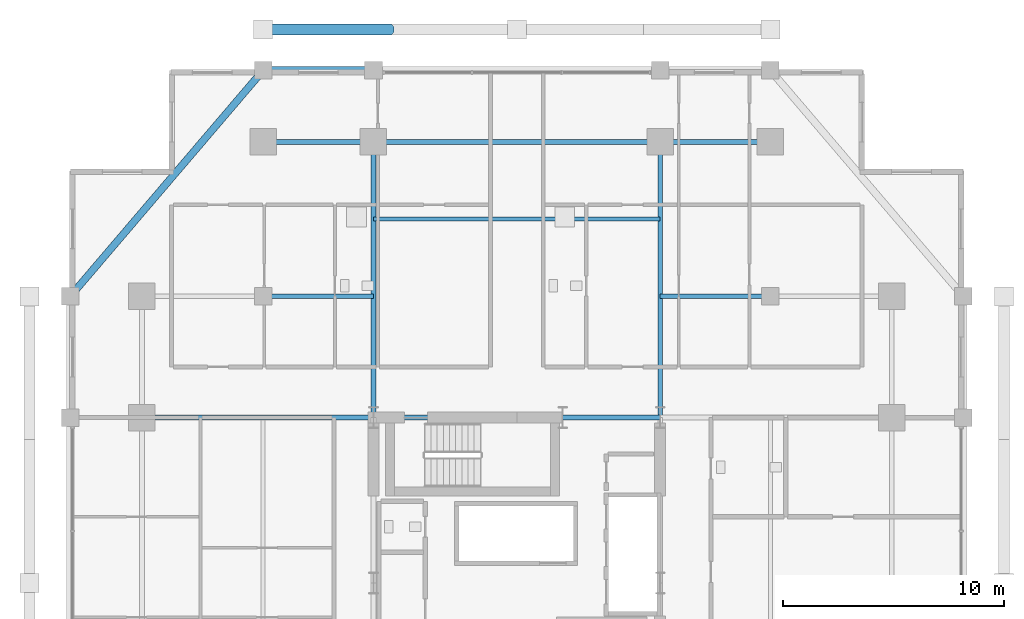
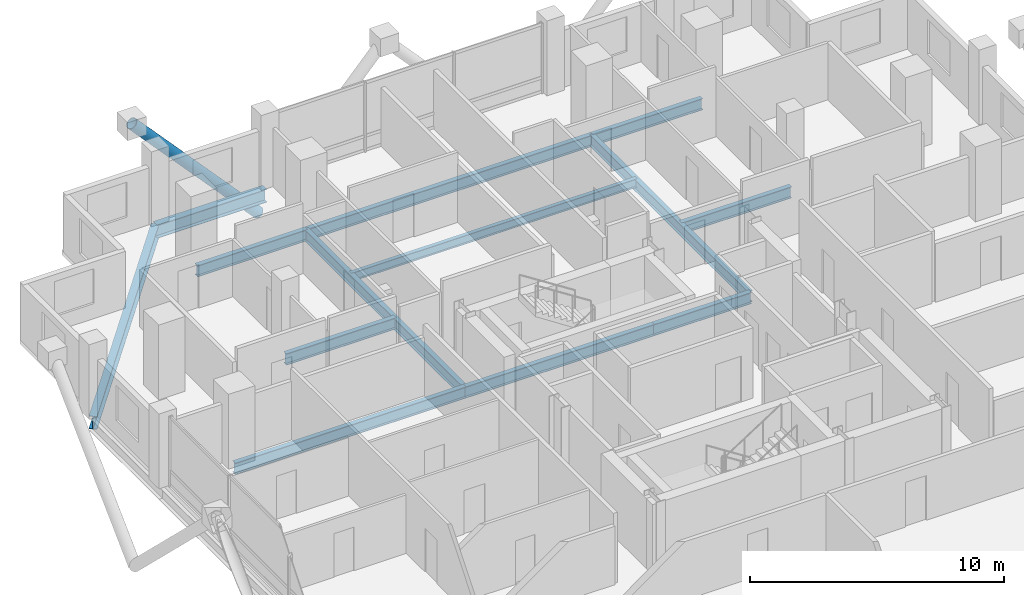
# One storey, part 12 of 22: 13 beams, 1 member.
"""IFC4 building model written with IfcOpenShell, lengths in metres."""

import ifcopenshell
import ifcopenshell.guid

model = None  # the IFC model being written
_history = None  # IfcOwnerHistory: only IFC2X3 demands one
_inside = {}  # id of a spatial element -> (the spatial element, [elements in it])
_under = {}  # id of a project, library or spatial element -> (it, [spatial elements below it])
_declared = {}  # id of a project -> (the project, [libraries it declares])
_typed = {}  # id of a type object -> (the type object, [elements of that type])
_made_of = {}  # id of a material, layer set ... -> (it, [elements and type objects made of it])


def new_model(schema):
    """Start an empty IFC model of exactly this schema.

    Asked for "IFC4X3", IfcOpenShell would pick the latest addendum, in which some entities
    have other attributes; the version numbers below select the first issue.
    IFC2X3 requires an IfcOwnerHistory on every rooted entity: one is made here for all.
    """
    global model, _history
    if schema == "IFC4X3":
        model = ifcopenshell.file(schema_version=(4, 3, 0, 0))
    else:
        model = ifcopenshell.file(schema=schema)
    _inside.clear()
    _under.clear()
    _declared.clear()
    _typed.clear()
    _made_of.clear()
    _history = None
    if model.schema == "IFC2X3":
        org = make("IfcOrganization", Name="unknown")
        user = make(
            "IfcPersonAndOrganization",
            ThePerson=make("IfcPerson", FamilyName="unknown"),
            TheOrganization=org,
        )
        app = make(
            "IfcApplication",
            ApplicationDeveloper=org,
            Version="unknown",
            ApplicationFullName="unknown",
            ApplicationIdentifier="unknown",
        )
        _history = make(
            "IfcOwnerHistory",
            OwningUser=user,
            OwningApplication=app,
            ChangeAction="ADDED",
            CreationDate=0,
        )
    return model


def make(cls, **values):
    """One entity of the class cls with the attributes given. An attribute that is None is left unset."""
    return model.create_entity(
        cls, **{name: value for name, value in values.items() if value is not None}
    )


def rooted(cls, **values):
    """An entity with a GlobalId (a new one), such as an element, a storey or a relation."""
    return make(cls, GlobalId=ifcopenshell.guid.new(), OwnerHistory=_history, **values)


def si_unit(unit_type, name, prefix=None):
    """IfcSIUnit, for example si_unit("LENGTHUNIT", "METRE", prefix="MILLI")."""
    return make("IfcSIUnit", UnitType=unit_type, Prefix=prefix, Name=name)


def assignment(units):
    """IfcUnitAssignment: the units of a project."""
    return None if units is None else make("IfcUnitAssignment", Units=units)


def point(xyz):
    """IfcCartesianPoint."""
    return None if xyz is None else make("IfcCartesianPoint", Coordinates=xyz)


def direction(xyz):
    """IfcDirection."""
    return None if xyz is None else make("IfcDirection", DirectionRatios=xyz)


def frame(location, z_axis=None, x_axis=None):
    """IfcAxis2Placement3D, a coordinate frame: its origin and axes. An axis left out is left unset."""
    return make(
        "IfcAxis2Placement3D",
        Location=point(location),
        Axis=direction(z_axis),
        RefDirection=direction(x_axis),
    )


def frame_2d(location, x_axis=None):
    """IfcAxis2Placement2D, a coordinate frame in the plane: its origin and x axis."""
    return make(
        "IfcAxis2Placement2D", Location=point(location), RefDirection=direction(x_axis)
    )


def origin():
    """The frame at (0, 0, 0) with its axes left unset."""
    return frame((0.0, 0.0, 0.0))


def origin_2d():
    """The frame at (0, 0) in the plane with its x axis left unset."""
    return frame_2d((0.0, 0.0))


def place(relative_to, where):
    """IfcLocalPlacement: puts the frame where relative to a parent placement (None: the world)."""
    return make(
        "IfcLocalPlacement", PlacementRelTo=relative_to, RelativePlacement=where
    )


def context(
    kind, dimensions, precision=None, world=None, true_north=None, identifier=None
):
    """IfcGeometricRepresentationContext, for example the 3D "Model" context."""
    return make(
        "IfcGeometricRepresentationContext",
        ContextIdentifier=identifier,
        ContextType=kind,
        CoordinateSpaceDimension=dimensions,
        Precision=precision,
        WorldCoordinateSystem=world,
        TrueNorth=true_north,
    )


def subcontext(parent, identifier, kind, view, scale=None):
    """IfcGeometricRepresentationSubContext, for example "Body" below "Model"."""
    return make(
        "IfcGeometricRepresentationSubContext",
        ContextIdentifier=identifier,
        ContextType=kind,
        ParentContext=parent,
        TargetScale=scale,
        TargetView=view,
    )


def project(units=None, contexts=None):
    """IfcProject with its units and contexts."""
    return rooted(
        "IfcProject",
        Name="project",
        RepresentationContexts=contexts,
        UnitsInContext=assignment(units),
    )


def spatial(cls, under=None, at=None, **own):
    """A site, building, storey or space (cls), placed at a placement, below another one or the project."""
    s = rooted(cls, ObjectPlacement=at, **own)
    if under is not None:
        _under.setdefault(under.id(), (under, []))[1].append(s)
    return s


def profile(cls, at=None, kind="AREA", **sizes):
    """A parametric profile (cls). Its sizes go by their IFC names, for example OverallWidth=200.0."""
    return make(cls, ProfileType=kind, Position=at, **sizes)


def hollow_circle(**sizes):
    """IfcCircleHollowProfileDef."""
    return profile("IfcCircleHollowProfileDef", **sizes)


def i_section(**sizes):
    """IfcIShapeProfileDef."""
    return profile("IfcIShapeProfileDef", **sizes)


def extrude(swept, where, along, depth):
    """IfcExtrudedAreaSolid: the profile swept, set in the frame where, extruded along a direction by depth."""
    return make(
        "IfcExtrudedAreaSolid",
        SweptArea=swept,
        Position=where,
        ExtrudedDirection=direction(along),
        Depth=depth,
    )


def shape(context_of_items, identifier, shape_type, items):
    """IfcShapeRepresentation: the items that make up one representation, for example the "Body"."""
    return make(
        "IfcShapeRepresentation",
        ContextOfItems=context_of_items,
        RepresentationIdentifier=identifier,
        RepresentationType=shape_type,
        Items=items,
    )


def material(Name=None, Category=None):
    """IfcMaterial."""
    return make("IfcMaterial", Name=Name, Category=Category)


def material_profile(
    of_material, cross_section, Name=None, Category=None, Priority=None
):
    """IfcMaterialProfile: a cross section and its material."""
    return make(
        "IfcMaterialProfile",
        Name=Name,
        Material=of_material,
        Profile=cross_section,
        Priority=Priority,
        Category=Category,
    )


def profile_set(profiles, Name=None, composite=None):
    """IfcMaterialProfileSet."""
    return make(
        "IfcMaterialProfileSet",
        Name=Name,
        MaterialProfiles=profiles,
        CompositeProfile=composite,
    )


def made_of(thing, what):
    """Note that an element or type object is made of a material, layer set ...; save() writes the relation."""
    if what is not None:
        _made_of.setdefault(what.id(), (what, []))[1].append(thing)
    return thing


def type_object(cls, material=None, **own):
    """A type object (cls), such as IfcWallType, which elements share."""
    return made_of(rooted(cls, **own), material)


def element(
    cls,
    number,
    at=None,
    inside=None,
    cuts=None,
    type_object=None,
    material=None,
    context=None,
    identifier="Body",
    shape_type=None,
    held_by="IfcProductDefinitionShape",
    body=None,
    shapes=None,
    **own,
):
    """One element of the class cls, such as IfcWall. Its Tag is "e" and its number.

    at: its placement. inside: the storey or other place that contains it. cuts: it is an
    opening in that element (IfcRelVoidsElement). A single representation is given by context,
    identifier, shape_type and body (its items); several are given by shapes. held_by: the class
    of the entity that holds the representations. save() writes the other relations.
    """
    e = rooted(cls, Tag="e%d" % number, ObjectPlacement=at, **own)
    if body is not None:
        shapes = [shape(context, identifier, shape_type, body)]
    if shapes is not None:
        e.Representation = make(held_by, Representations=shapes)
    if inside is not None:
        _inside.setdefault(inside.id(), (inside, []))[1].append(e)
    if cuts is not None:
        rooted(
            "IfcRelVoidsElement", RelatingBuildingElement=cuts, RelatedOpeningElement=e
        )
    if type_object is not None:
        _typed.setdefault(type_object.id(), (type_object, []))[1].append(e)
    return made_of(e, material)


def aggregate(whole, parts):
    """IfcRelAggregates: a whole, such as a stair, and the parts it consists of."""
    return rooted("IfcRelAggregates", RelatingObject=whole, RelatedObjects=parts)


def save(model, path):
    """Write the relations noted so far, then the file.

    IfcRelAggregates (storeys below a building ...), IfcRelContainedInSpatialStructure (elements
    in a storey), IfcRelDefinesByType, IfcRelAssociatesMaterial and IfcRelDeclares: one each for
    every whole, place, type object, material and project.
    """
    for whole, parts in _under.values():
        aggregate(whole, parts)
    for where, things in _inside.values():
        rooted(
            "IfcRelContainedInSpatialStructure",
            RelatedElements=things,
            RelatingStructure=where,
        )
    for kind, things in _typed.values():
        rooted("IfcRelDefinesByType", RelatedObjects=things, RelatingType=kind)
    for what, things in _made_of.values():
        rooted("IfcRelAssociatesMaterial", RelatedObjects=things, RelatingMaterial=what)
    for by, libraries in _declared.values():
        rooted("IfcRelDeclares", RelatingContext=by, RelatedDefinitions=libraries)
    model.write(path)


model = new_model("IFC4")

# Units and contexts
model_context = context("Model", 3, precision=1e-05, world=origin(), true_north=direction((0.0, 1.0)))
body_context = subcontext(model_context, "Body", "Model", "MODEL_VIEW")
ifc_project = project(units=[si_unit("LENGTHUNIT", "METRE"), si_unit("AREAUNIT", "SQUARE_METRE"), si_unit("VOLUMEUNIT", "CUBIC_METRE"), si_unit("PLANEANGLEUNIT", "RADIAN"), si_unit("MASSUNIT", "GRAM", prefix="KILO")], contexts=[model_context])

# Site, building, storey
site_placement = place(None, origin())
site = spatial("IfcSite", under=ifc_project, at=site_placement, CompositionType="ELEMENT")
building_placement = place(site_placement, origin())
building = spatial("IfcBuilding", under=site, at=building_placement, Name="Barlavira Tower and Art Museum", CompositionType="ELEMENT")
storey_placement = place(building_placement, frame((0.0, 0.0, 129.60009765625)))
storey = spatial("IfcBuildingStorey", under=building, at=storey_placement, Name="L32", CompositionType="ELEMENT", Elevation=129.60009765625)

# Member
ifc_material = material(Name="Steel S355", Category="steel")
ifc_material_profile_1 = material_profile(ifc_material, hollow_circle(Radius=0.25390625, WallThickness=0.022216796875, at=origin_2d()), Name="CHS 508.0x22.2")
ifc_profile_set_1 = profile_set([ifc_material_profile_1], Name="Steel S355")
member_type = type_object("IfcMemberType", Name="Pale-Metal Exoskeleton Diagrid Tube CHS 508x22 Steel S355", PredefinedType="BRACE", material=ifc_profile_set_1)
member_placement = place(storey_placement, frame((-5.75, 25.10009765625, -2.820068359375), z_axis=(-0.67412750573, 0.0, 0.738614991736), x_axis=(0.0, -1.0, 0.0)))
element("IfcMember", 1, at=member_placement, inside=storey, type_object=member_type, Name="L32 Exoskeleton Diagrid Tube N", PredefinedType="BRACE", context=body_context, shape_type="SweptSolid", body=[
    extrude(hollow_circle(Radius=0.25390625, WallThickness=0.022216796875, at=origin_2d()), origin(), (0.0, 0.0, 1.0), 8.529541015625),
])

# Beams
ifc_material_profile_2 = material_profile(ifc_material, i_section(OverallWidth=0.327880859375, OverallDepth=0.62890625, WebThickness=0.013916015625, FlangeThickness=0.021484375, at=origin_2d()), Name="W610x174.0")
ifc_profile_set_2 = profile_set([ifc_material_profile_2], Name="Steel S355")
beam_type_1 = type_object("IfcBeamType", Name="Perimeter Spandrel Edge Beam W610x174 Steel S355", PredefinedType="SPANDREL", material=ifc_profile_set_2)
beam_1_placement = place(storey_placement, frame((-11.5, 23.25, -0.53466796875), z_axis=(1.0, 0.0, 0.0), x_axis=(0.0, 1.0, 0.0)))
element("IfcBeam", 2, at=beam_1_placement, inside=storey, type_object=beam_type_1, Name="L32 Spandrel 11", PredefinedType="SPANDREL", context=body_context, shape_type="SweptSolid", body=[
    extrude(i_section(OverallWidth=0.327880859375, OverallDepth=0.62890625, WebThickness=0.013916015625, FlangeThickness=0.021484375, at=origin_2d()), origin(), (0.0, 0.0, 1.0), 5.0),
])
beam_2_placement = place(storey_placement, frame((-11.5, 23.25, -0.53466796875), z_axis=(-0.649262379928, -0.760564502202, 0.0), x_axis=(0.760564502202, -0.649262379928, 0.0)))
element("IfcBeam", 3, at=beam_2_placement, inside=storey, type_object=beam_type_1, Name="L32 Spandrel 12", PredefinedType="SPANDREL", context=body_context, shape_type="SweptSolid", body=[
    extrude(i_section(OverallWidth=0.327880859375, OverallDepth=0.62890625, WebThickness=0.013916015625, FlangeThickness=0.021484375, at=origin_2d()), origin(), (0.0, 0.0, 1.0), 13.476806640625),
])
ifc_material_profile_3 = material_profile(ifc_material, i_section(OverallWidth=0.214111328125, OverallDepth=0.549072265625, WebThickness=0.0146484375, FlangeThickness=0.023681640625, at=origin_2d()), Name="W530x138.0")
ifc_profile_set_3 = profile_set([ifc_material_profile_3], Name="Steel S355")
beam_type_2 = type_object("IfcBeamType", Name="Zone 1 Primary Floor Girder W530x138 Steel S355", PredefinedType="BEAM", material=ifc_profile_set_3)
beam_3_placement = place(storey_placement, frame((-6.5, 7.5, -0.49462890625), z_axis=(1.0, 0.0, 0.0), x_axis=(0.0, 1.0, 0.0)))
element("IfcBeam", 4, at=beam_3_placement, inside=storey, type_object=beam_type_2, Name="L32 Girder C-N1", PredefinedType="BEAM", context=body_context, shape_type="SweptSolid", body=[
    extrude(i_section(OverallWidth=0.214111328125, OverallDepth=0.549072265625, WebThickness=0.0146484375, FlangeThickness=0.023681640625, at=origin_2d()), origin(), (0.0, 0.0, 1.0), 8.580078125),
])
beam_4_placement = place(storey_placement, frame((2.080078125, 7.5, -0.49462890625), z_axis=(1.0, 0.0, 0.0), x_axis=(0.0, 1.0, 0.0)))
element("IfcBeam", 5, at=beam_4_placement, inside=storey, type_object=beam_type_2, Name="L32 Girder C-N2", PredefinedType="BEAM", context=body_context, shape_type="SweptSolid", body=[
    extrude(i_section(OverallWidth=0.214111328125, OverallDepth=0.549072265625, WebThickness=0.0146484375, FlangeThickness=0.023681640625, at=origin_2d()), origin(), (0.0, 0.0, 1.0), 4.419921875),
])
beam_5_placement = place(storey_placement, frame((-11.5, 20.0, -0.49462890625), z_axis=(1.0, 0.0, 0.0), x_axis=(0.0, 1.0, 0.0)))
element("IfcBeam", 6, at=beam_5_placement, inside=storey, type_object=beam_type_2, Name="L32 Girder M-N1", PredefinedType="BEAM", context=body_context, shape_type="SweptSolid", body=[
    extrude(i_section(OverallWidth=0.214111328125, OverallDepth=0.549072265625, WebThickness=0.0146484375, FlangeThickness=0.023681640625, at=origin_2d()), origin(), (0.0, 0.0, 1.0), 5.0),
])
beam_6_placement = place(storey_placement, frame((-6.5, 20.0, -0.49462890625), z_axis=(1.0, 0.0, 0.0), x_axis=(0.0, 1.0, 0.0)))
element("IfcBeam", 7, at=beam_6_placement, inside=storey, type_object=beam_type_2, Name="L32 Girder M-N2", PredefinedType="BEAM", context=body_context, shape_type="SweptSolid", body=[
    extrude(i_section(OverallWidth=0.214111328125, OverallDepth=0.549072265625, WebThickness=0.0146484375, FlangeThickness=0.023681640625, at=origin_2d()), origin(), (0.0, 0.0, 1.0), 13.0),
])
beam_7_placement = place(storey_placement, frame((6.5, 20.0, -0.49462890625), z_axis=(1.0, 0.0, 0.0), x_axis=(0.0, 1.0, 0.0)))
element("IfcBeam", 8, at=beam_7_placement, inside=storey, type_object=beam_type_2, Name="L32 Girder M-N3", PredefinedType="BEAM", context=body_context, shape_type="SweptSolid", body=[
    extrude(i_section(OverallWidth=0.214111328125, OverallDepth=0.549072265625, WebThickness=0.0146484375, FlangeThickness=0.023681640625, at=origin_2d()), origin(), (0.0, 0.0, 1.0), 5.0),
])
for number, where, z_axis, x_axis, name in (
    (9, (-6.5, 7.5, -0.49462890625), (0.0, 1.0, 0.0), (-1.0, 0.0, 0.0), "L32 Girder R-N1"),
    (10, (6.5, 7.5, -0.49462890625), (0.0, 1.0, 0.0), (-1.0, 0.0, 0.0), "L32 Girder R-N2"),
):
    element("IfcBeam", number, at=place(storey_placement, frame(where, z_axis=z_axis, x_axis=x_axis)), inside=storey, type_object=beam_type_2, Name=name, PredefinedType="BEAM", context=body_context, shape_type="SweptSolid", body=[
        extrude(i_section(OverallWidth=0.214111328125, OverallDepth=0.549072265625, WebThickness=0.0146484375, FlangeThickness=0.023681640625, at=origin_2d()), origin(), (0.0, 0.0, 1.0), 12.5),
    ])
beam_8_placement = place(storey_placement, frame((-17.0, 7.5, -0.49462890625), z_axis=(1.0, 0.0, 0.0), x_axis=(0.0, 1.0, 0.0)))
element("IfcBeam", 11, at=beam_8_placement, inside=storey, type_object=beam_type_2, Name="L32 Girder R-W2", PredefinedType="BEAM", context=body_context, shape_type="SweptSolid", body=[
    extrude(i_section(OverallWidth=0.214111328125, OverallDepth=0.549072265625, WebThickness=0.0146484375, FlangeThickness=0.023681640625, at=origin_2d()), origin(), (0.0, 0.0, 1.0), 10.5),
])
for number, where, z_axis, x_axis, name in (
    (12, (-11.5, 13.0, -0.49462890625), (1.0, 0.0, 0.0), (0.0, 1.0, 0.0), "L32 Girder I-N2"),
    (13, (6.5, 13.0, -0.49462890625), (1.0, 0.0, 0.0), (0.0, 1.0, 0.0), "L32 Girder I-N3"),
):
    element("IfcBeam", number, at=place(storey_placement, frame(where, z_axis=z_axis, x_axis=x_axis)), inside=storey, type_object=beam_type_2, Name=name, PredefinedType="BEAM", context=body_context, shape_type="SweptSolid", body=[
        extrude(i_section(OverallWidth=0.214111328125, OverallDepth=0.549072265625, WebThickness=0.0146484375, FlangeThickness=0.023681640625, at=origin_2d()), origin(), (0.0, 0.0, 1.0), 5.0),
    ])
ifc_material_profile_4 = material_profile(ifc_material, i_section(OverallWidth=0.179931640625, OverallDepth=0.4130859375, WebThickness=0.009765625, FlangeThickness=0.01611328125, at=origin_2d()), Name="W410x75.0")
ifc_profile_set_4 = profile_set([ifc_material_profile_4], Name="Steel S355")
beam_type_3 = type_object("IfcBeamType", Name="Zone 2 Composite Floor Joist W410x75 Steel S355", PredefinedType="JOIST", material=ifc_profile_set_4)
beam_9_placement = place(storey_placement, frame((-6.5, 16.5, -0.426513671875), z_axis=(1.0, 0.0, 0.0), x_axis=(0.0, 1.0, 0.0)))
element("IfcBeam", 14, at=beam_9_placement, inside=storey, type_object=beam_type_3, Name="L32 Joist C2", PredefinedType="JOIST", context=body_context, shape_type="SweptSolid", body=[
    extrude(i_section(OverallWidth=0.179931640625, OverallDepth=0.4130859375, WebThickness=0.009765625, FlangeThickness=0.01611328125, at=origin_2d()), origin(), (0.0, 0.0, 1.0), 13.0),
])

save(model, "model.ifc")
